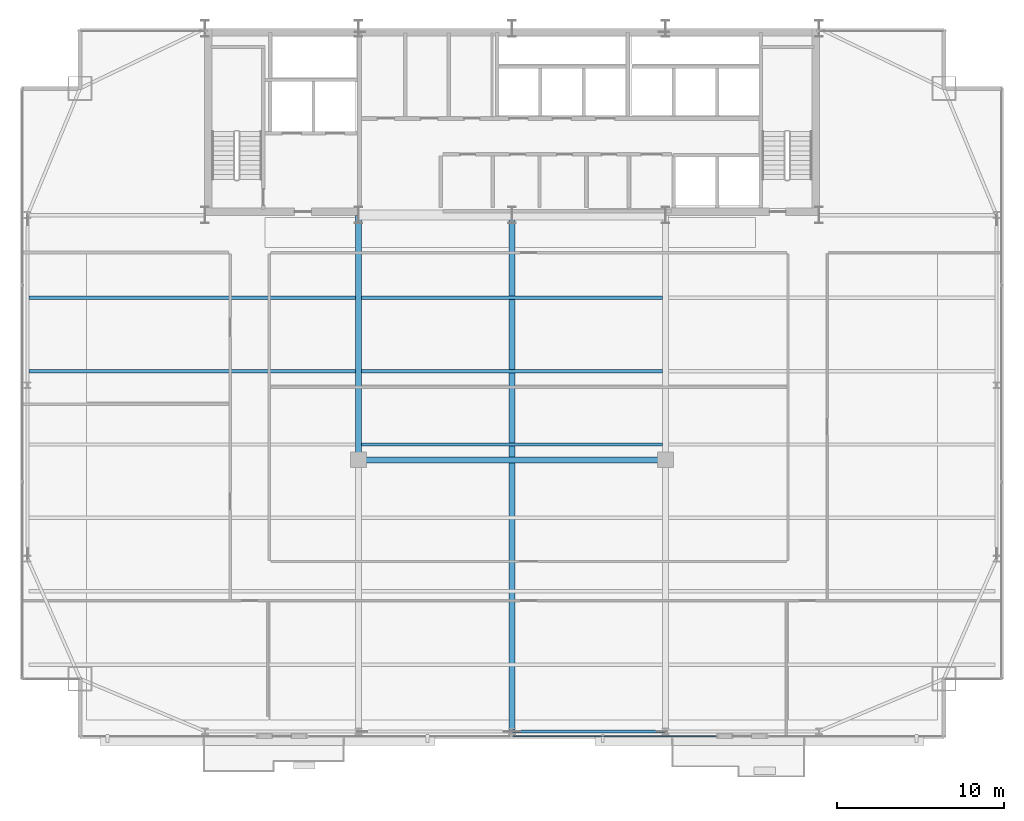
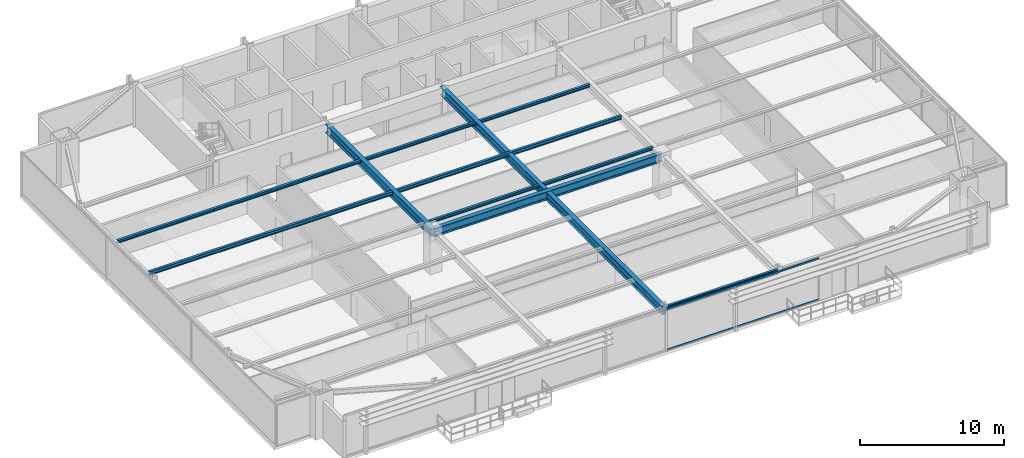
# One storey, part 11 of 36: 9 beams, 2 members, 1 element without a shape of its own.
"""IFC4 building model written with IfcOpenShell, lengths in metres."""

from ifc_helpers import new_model, si_unit, direction, frame, origin, origin_2d, place, context, subcontext, project, spatial, hollow_rectangle, i_section, extrude, source, transform, mapped, material, layer, layer_set, material_profile, profile_set, type_object, type_shapes, element, aggregate, save


model = new_model("IFC4")

# Units and contexts
model_context = context("Model", 3, precision=1e-05, world=origin(), true_north=direction((0.0, 1.0)))
body_context = subcontext(model_context, "Body", "Model", "MODEL_VIEW")
ifc_project = project(units=[si_unit("LENGTHUNIT", "METRE"), si_unit("AREAUNIT", "SQUARE_METRE"), si_unit("VOLUMEUNIT", "CUBIC_METRE"), si_unit("PLANEANGLEUNIT", "RADIAN"), si_unit("MASSUNIT", "GRAM", prefix="KILO")], contexts=[model_context])

# Site, building, storey
site_placement = place(None, origin())
site = spatial("IfcSite", under=ifc_project, at=site_placement, CompositionType="ELEMENT")
building_placement = place(site_placement, origin())
building = spatial("IfcBuilding", under=site, at=building_placement, Name="Varnel Quay Broadcast Tower", CompositionType="ELEMENT")
storey_placement = place(building_placement, frame((0.0, 0.0, 114.39990234375)))
storey = spatial("IfcBuildingStorey", under=building, at=storey_placement, Name="L27", CompositionType="ELEMENT", Elevation=114.39990234375)

# Beams
ifc_material_1 = material(Name="Structural Steel CSA G40.21 350W", Category="steel")
ifc_material_profile_1 = material_profile(ifc_material_1, i_section(OverallWidth=0.180908203125, OverallDepth=0.4169921875, WebThickness=0.010986328125, FlangeThickness=0.018310546875, FilletRadius=0.011962890625, at=origin_2d()), Name="W410X85")
ifc_profile_set_1 = profile_set([ifc_material_profile_1], Name="Structural Steel CSA G40.21 350W")
beam_type_1 = type_object("IfcBeamType", Name="Beam_W410X85", PredefinedType="SPANDREL", material=ifc_profile_set_1)
shared_shape_1 = source(origin(), body_context, "Body", "SweptSolid", [
    extrude(i_section(OverallWidth=0.180908203125, OverallDepth=0.4169921875, WebThickness=0.010986328125, FlangeThickness=0.018310546875, FilletRadius=0.011962890625, at=origin_2d()), origin(), (0.0, 0.0, 1.0), 9.159912109375),
])
type_shapes(beam_type_1, [shared_shape_1])
beam_1_placement = place(storey_placement, frame((34.02001953125, 4.64990234375, 3.341552734375), z_axis=(1.0, 0.0, 0.0), x_axis=(0.0, 1.0, 0.0)))
element("IfcBeam", 1, at=beam_1_placement, inside=storey, type_object=beam_type_1, Name="L27 South Spandrel TC-S3-TC-S4", PredefinedType="SPANDREL", context=body_context, shape_type="MappedRepresentation", body=[
    mapped(shared_shape_1, transform((0.0, 0.0, 0.0), x_axis=(1.0, 0.0, 0.0), y_axis=(0.0, 1.0, 0.0), z_axis=(0.0, 0.0, 1.0), scale=1.0)),
])
ifc_material_profile_2 = material_profile(ifc_material_1, i_section(OverallWidth=0.35498046875, OverallDepth=0.695068359375, WebThickness=0.015380859375, FlangeThickness=0.02490234375, FilletRadius=0.01806640625, at=origin_2d()), Name="W690X217")
ifc_profile_set_2 = profile_set([ifc_material_profile_2], Name="Structural Steel CSA G40.21 350W")
beam_type_2 = type_object("IfcBeamType", Name="Girder_W690X217", PredefinedType="BEAM", material=ifc_profile_set_2)
shared_shape_2 = source(origin(), body_context, "Body", "SweptSolid", [
    extrude(i_section(OverallWidth=0.35498046875, OverallDepth=0.695068359375, WebThickness=0.015380859375, FlangeThickness=0.02490234375, FilletRadius=0.01806640625, at=origin_2d()), origin(), (0.0, 0.0, 1.0), 14.630126953125),
])
beam_2_placement = place(storey_placement, frame((24.800048828125, 20.949951171875, 3.20263671875), z_axis=(0.0, 1.0, 0.0), x_axis=(-1.0, 0.0, 0.0)))
element("IfcBeam", 2, at=beam_2_placement, inside=storey, type_object=beam_type_2, Name="L27 Primary Girder IC-01-CC-S2", PredefinedType="BEAM", context=body_context, shape_type="MappedRepresentation", body=[
    mapped(shared_shape_2, transform((0.0, 0.0, 0.0), x_axis=(1.0, 0.0, 0.0), y_axis=(0.0, 1.0, 0.0), z_axis=(0.0, 0.0, 1.0), scale=1.0)),
])
shared_shape_3 = source(origin(), body_context, "Body", "SweptSolid", [
    extrude(i_section(OverallWidth=0.35498046875, OverallDepth=0.695068359375, WebThickness=0.015380859375, FlangeThickness=0.02490234375, FilletRadius=0.01806640625, at=origin_2d()), origin(), (0.0, 0.0, 1.0), 18.35986328125),
])
beam_3_placement = place(storey_placement, frame((24.820068359375, 20.929931640625, 3.20263671875), z_axis=(1.0, 0.0, 0.0), x_axis=(0.0, 1.0, 0.0)))
element("IfcBeam", 3, at=beam_3_placement, inside=storey, type_object=beam_type_2, Name="L27 Interior Spine Girder", PredefinedType="BEAM", context=body_context, shape_type="MappedRepresentation", body=[
    mapped(shared_shape_3, transform((0.0, 0.0, 0.0), x_axis=(1.0, 0.0, 0.0), y_axis=(0.0, 1.0, 0.0), z_axis=(0.0, 0.0, 1.0), scale=1.0)),
])
shared_shape_4 = source(origin(), body_context, "Body", "SweptSolid", [
    extrude(i_section(OverallWidth=0.35498046875, OverallDepth=0.695068359375, WebThickness=0.015380859375, FlangeThickness=0.02490234375, FilletRadius=0.01806640625, at=origin_2d()), origin(), (0.0, 0.0, 1.0), 30.91015625),
])
type_shapes(beam_type_2, [shared_shape_2, shared_shape_3, shared_shape_4])
beam_4_placement = place(storey_placement, frame((34.0, 4.669921875, 3.20263671875), z_axis=(0.0, 1.0, 0.0), x_axis=(-1.0, 0.0, 0.0)))
element("IfcBeam", 4, at=beam_4_placement, inside=storey, type_object=beam_type_2, Name="L27 Central Bay Girder", PredefinedType="BEAM", context=body_context, shape_type="MappedRepresentation", body=[
    mapped(shared_shape_4, transform((0.0, 0.0, 0.0), x_axis=(1.0, 0.0, 0.0), y_axis=(0.0, 1.0, 0.0), z_axis=(0.0, 0.0, 1.0), scale=1.0)),
])
ifc_material_profile_3 = material_profile(ifc_material_1, i_section(OverallWidth=0.202880859375, OverallDepth=0.302978515625, WebThickness=0.007568359375, FlangeThickness=0.01318359375, FilletRadius=0.011962890625, at=origin_2d()), Name="W310X60")
ifc_profile_set_3 = profile_set([ifc_material_profile_3], Name="Structural Steel CSA G40.21 350W")
beam_type_3 = type_object("IfcBeamType", Name="Beam_W310X60", PredefinedType="JOIST", material=ifc_profile_set_3)
shared_shape_5 = source(origin(), body_context, "Body", "SweptSolid", [
    extrude(i_section(OverallWidth=0.202880859375, OverallDepth=0.302978515625, WebThickness=0.007568359375, FlangeThickness=0.01318359375, FilletRadius=0.011962890625, at=origin_2d()), origin(), (0.0, 0.0, 1.0), 19.592041015625),
])
beam_5_placement = place(storey_placement, frame((5.035400390625, 26.25, 3.398681640625), z_axis=(1.0, 0.0, 0.0), x_axis=(0.0, 1.0, 0.0)))
element("IfcBeam", 5, at=beam_5_placement, inside=storey, type_object=beam_type_3, Name="L27 West Floor Joist 5", PredefinedType="JOIST", context=body_context, shape_type="MappedRepresentation", body=[
    mapped(shared_shape_5, transform((0.0, 0.0, 0.0), x_axis=(1.0, 0.0, 0.0), y_axis=(0.0, 1.0, 0.0), z_axis=(0.0, 0.0, 1.0), scale=1.0)),
])
shared_shape_6 = source(origin(), body_context, "Body", "SweptSolid", [
    extrude(i_section(OverallWidth=0.202880859375, OverallDepth=0.302978515625, WebThickness=0.007568359375, FlangeThickness=0.01318359375, FilletRadius=0.011962890625, at=origin_2d()), origin(), (0.0, 0.0, 1.0), 18.05517578125),
])
type_shapes(beam_type_3, [shared_shape_5, shared_shape_6])
beam_6_placement = place(storey_placement, frame((24.972412109375, 26.25, 3.398681640625), z_axis=(1.0, 0.0, 0.0), x_axis=(0.0, 1.0, 0.0)))
element("IfcBeam", 6, at=beam_6_placement, inside=storey, type_object=beam_type_3, Name="L27 Central Floor Joist 5", PredefinedType="JOIST", context=body_context, shape_type="MappedRepresentation", body=[
    mapped(shared_shape_6, transform((0.0, 0.0, 0.0), x_axis=(1.0, 0.0, 0.0), y_axis=(0.0, 1.0, 0.0), z_axis=(0.0, 0.0, 1.0), scale=1.0)),
])
ifc_material_profile_4 = material_profile(ifc_material_1, i_section(OverallWidth=0.201904296875, OverallDepth=0.2470703125, WebThickness=0.00732421875, FlangeThickness=0.010986328125, FilletRadius=0.010986328125, at=origin_2d()), Name="W250X49")
ifc_profile_set_4 = profile_set([ifc_material_profile_4], Name="Structural Steel CSA G40.21 350W")
beam_type_4 = type_object("IfcBeamType", Name="Beam_W250X49", PredefinedType="JOIST", material=ifc_profile_set_4)
shared_shape_7 = source(origin(), body_context, "Body", "SweptSolid", [
    extrude(i_section(OverallWidth=0.201904296875, OverallDepth=0.2470703125, WebThickness=0.00732421875, FlangeThickness=0.010986328125, FilletRadius=0.010986328125, at=origin_2d()), origin(), (0.0, 0.0, 1.0), 19.592041015625),
])
beam_7_placement = place(storey_placement, frame((5.035400390625, 30.64990234375, 3.426513671875), z_axis=(1.0, 0.0, 0.0), x_axis=(0.0, 1.0, 0.0)))
element("IfcBeam", 7, at=beam_7_placement, inside=storey, type_object=beam_type_4, Name="L27 West Floor Joist 6", PredefinedType="JOIST", context=body_context, shape_type="MappedRepresentation", body=[
    mapped(shared_shape_7, transform((0.0, 0.0, 0.0), x_axis=(1.0, 0.0, 0.0), y_axis=(0.0, 1.0, 0.0), z_axis=(0.0, 0.0, 1.0), scale=1.0)),
])
shared_shape_8 = source(origin(), body_context, "Body", "SweptSolid", [
    extrude(i_section(OverallWidth=0.201904296875, OverallDepth=0.2470703125, WebThickness=0.00732421875, FlangeThickness=0.010986328125, FilletRadius=0.010986328125, at=origin_2d()), origin(), (0.0, 0.0, 1.0), 18.05517578125),
])
type_shapes(beam_type_4, [shared_shape_7, shared_shape_8])
for number, where, z_axis, x_axis, name in (
    (8, (24.972412109375, 21.85009765625, 3.426513671875), (1.0, 0.0, 0.0), (0.0, 1.0, 0.0), "L27 Central Floor Joist 4"),
    (9, (24.972412109375, 30.64990234375, 3.426513671875), (1.0, 0.0, 0.0), (0.0, 1.0, 0.0), "L27 Central Floor Joist 6"),
):
    element("IfcBeam", number, at=place(storey_placement, frame(where, z_axis=z_axis, x_axis=x_axis)), inside=storey, type_object=beam_type_4, Name=name, PredefinedType="JOIST", context=body_context, shape_type="MappedRepresentation", body=[
        mapped(shared_shape_8, transform((0.0, 0.0, 0.0), x_axis=(1.0, 0.0, 0.0), y_axis=(0.0, 1.0, 0.0), z_axis=(0.0, 0.0, 1.0), scale=1.0)),
    ])

# Curtain wall, members
ifc_material_2 = material(Name="Anodised Bronze Aluminium 6063-T6", Category="aluminium")
ifc_layer = layer(ifc_material_2, 0.18994140625, Name="Anodised Bronze Aluminium 6063-T6")
ifc_layer_set = layer_set([ifc_layer], Name="Anodised Bronze Aluminium 6063-T6")
curtain_wall_type = type_object("IfcCurtainWallType", Name="CW_LowerTower", PredefinedType="NOTDEFINED", material=ifc_layer_set)
curtain_wall_placement = place(storey_placement, origin())
curtain_wall = element("IfcCurtainWall", 10, at=curtain_wall_placement, inside=storey, type_object=curtain_wall_type, Name="L27 South Unitised Curtain Wall 2", PredefinedType="NOTDEFINED")
ifc_material_profile_5 = material_profile(ifc_material_2, hollow_rectangle(XDim=0.06005859375, YDim=0.14501953125, WallThickness=0.00341796875, at=origin_2d()), Name="ALU60X145X3.5")
ifc_profile_set_5 = profile_set([ifc_material_profile_5], Name="Anodised Bronze Aluminium 6063-T6")
member_type = type_object("IfcMemberType", Name="Tran_CWS-02", PredefinedType="USERDEFINED", material=ifc_profile_set_5)
shared_shape_9 = source(origin(), body_context, "Body", "SweptSolid", [
    extrude(hollow_rectangle(XDim=0.06005859375, YDim=0.14501953125, WallThickness=0.00341796875, at=origin_2d()), origin(), (0.0, 0.0, 1.0), 12.215087890625),
])
type_shapes(member_type, [shared_shape_9])
member_1_placement = place(storey_placement, frame((34.034912109375, 4.35009765625, 0.030029296875), z_axis=(1.0, 0.0, 0.0), x_axis=(0.0, 1.0, 0.0)))
member_1 = element("IfcMember", 11, at=member_1_placement, type_object=member_type, Name="CWS-02 transom 2.1", ObjectType="TRANSOM", PredefinedType="USERDEFINED", context=body_context, shape_type="MappedRepresentation", body=[
    mapped(shared_shape_9, transform((0.0, 0.0, 0.0), x_axis=(1.0, 0.0, 0.0), y_axis=(0.0, 1.0, 0.0), z_axis=(0.0, 0.0, 1.0), scale=1.0)),
])
member_2_placement = place(storey_placement, frame((34.034912109375, 4.35009765625, 3.52001953125), z_axis=(1.0, 0.0, 0.0), x_axis=(0.0, 1.0, 0.0)))
member_2 = element("IfcMember", 12, at=member_2_placement, type_object=member_type, Name="CWS-02 transom 2.2", ObjectType="TRANSOM", PredefinedType="USERDEFINED", context=body_context, shape_type="MappedRepresentation", body=[
    mapped(shared_shape_9, transform((0.0, 0.0, 0.0), x_axis=(1.0, 0.0, 0.0), y_axis=(0.0, 1.0, 0.0), z_axis=(0.0, 0.0, 1.0), scale=1.0)),
])
aggregate(curtain_wall, [member_1, member_2])

save(model, "model.ifc")
